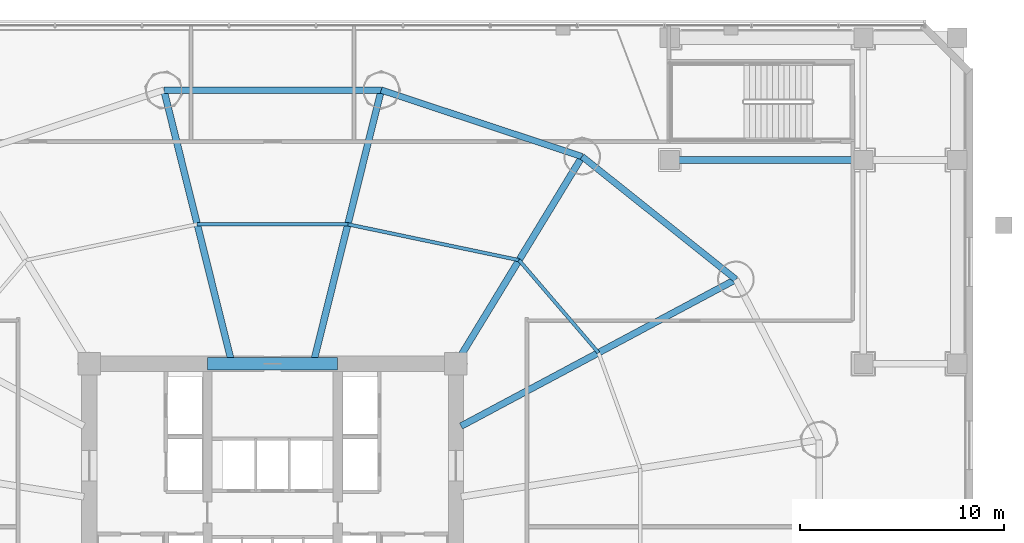
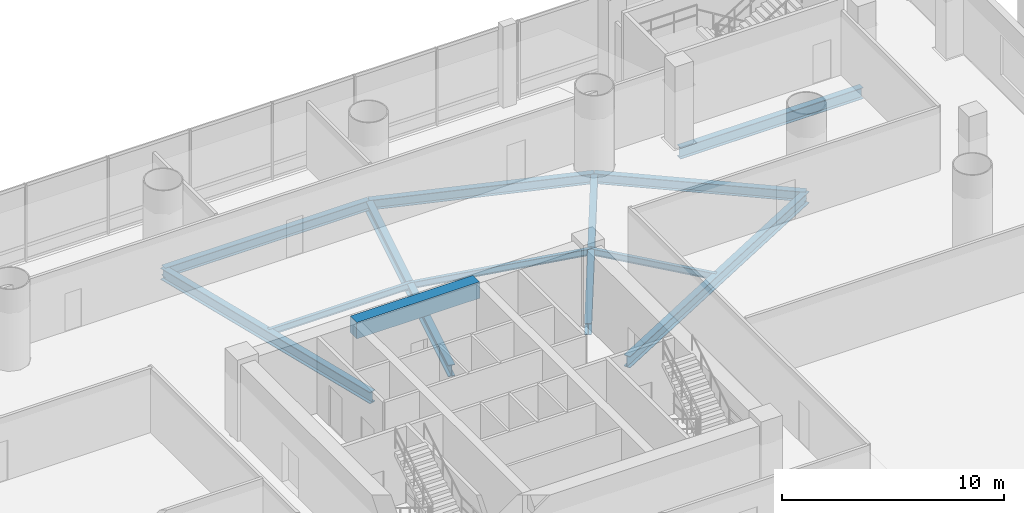
# One storey, part 13 of 36: 12 beams.
"""IFC4 building model written with IfcOpenShell, lengths in metres."""

from ifc_helpers import new_model, si_unit, direction, frame, origin, origin_2d, place, context, subcontext, project, spatial, rectangle, i_section, extrude, material, material_profile, profile_set, type_object, element, save


model = new_model("IFC4")

# Units and contexts
model_context = context("Model", 3, precision=1e-05, world=origin(), true_north=direction((-0.2419218956, 0.970295726276)))
body_context = subcontext(model_context, "Body", "Model", "MODEL_VIEW")
ifc_project = project(units=[si_unit("LENGTHUNIT", "METRE"), si_unit("AREAUNIT", "SQUARE_METRE"), si_unit("VOLUMEUNIT", "CUBIC_METRE"), si_unit("PLANEANGLEUNIT", "RADIAN"), si_unit("MASSUNIT", "GRAM", prefix="KILO")], contexts=[model_context])

# Site, building, storey
site_placement = place(None, origin())
site = spatial("IfcSite", under=ifc_project, at=site_placement, CompositionType="ELEMENT")
building_placement = place(site_placement, origin())
building = spatial("IfcBuilding", under=site, at=building_placement, Name="Cobrevalo Terracotta Tower", CompositionType="ELEMENT")
storey_placement = place(building_placement, frame((0.0, 0.0, 5.39990234375)))
storey = spatial("IfcBuildingStorey", under=building, at=storey_placement, Name="L01", CompositionType="ELEMENT", Elevation=5.39990234375)

# Beams
ifc_material_1 = material(Name="Concrete C60", Category="concrete")
ifc_material_profile_1 = material_profile(ifc_material_1, rectangle(XDim=0.60009765625, YDim=0.89990234375, at=origin_2d()), Name="RC CB 600x900")
ifc_profile_set_1 = profile_set([ifc_material_profile_1], Name="Concrete C60")
beam_type_1 = type_object("IfcBeamType", Name="Structural Beam RC CB 600x900 (Concrete C60)", PredefinedType="BEAM", material=ifc_profile_set_1)
beam_1_placement = place(storey_placement, frame((34.800048828125, 34.800048828125, 3.75), z_axis=(1.0, 0.0, 0.0), x_axis=(0.0, 1.0, 0.0)))
element("IfcBeam", 1, at=beam_1_placement, inside=storey, type_object=beam_type_1, Name="L01 core coupling beam 2", PredefinedType="BEAM", context=body_context, shape_type="SweptSolid", body=[
    extrude(rectangle(XDim=0.60009765625, YDim=0.89990234375, at=origin_2d()), origin(), (0.0, 0.0, 1.0), 6.39990234375),
])
ifc_material_2 = material(Name="Steel S355", Category="steel")
ifc_material_profile_2 = material_profile(ifc_material_2, i_section(OverallWidth=0.324951171875, OverallDepth=0.615966796875, WebThickness=0.013916015625, FlangeThickness=0.021484375, at=origin_2d()), Name="W 610x174")
ifc_profile_set_2 = profile_set([ifc_material_profile_2], Name="Steel S355")
beam_type_2 = type_object("IfcBeamType", Name="Structural Beam W 610x174 (Steel S355)", PredefinedType="BEAM", material=ifc_profile_set_2)
beam_2_placement = place(storey_placement, frame((57.5, 44.800048828125, -0.60791015625), z_axis=(1.0, 0.0, 0.0), x_axis=(0.0, 1.0, 0.0)))
element("IfcBeam", 2, at=beam_2_placement, inside=storey, type_object=beam_type_2, Name="L01 podium grid beam G7-GF to G8-GF", PredefinedType="BEAM", context=body_context, shape_type="SweptSolid", body=[
    extrude(i_section(OverallWidth=0.324951171875, OverallDepth=0.615966796875, WebThickness=0.013916015625, FlangeThickness=0.021484375, at=origin_2d()), origin(), (0.0, 0.0, 1.0), 9.5),
])
ifc_material_profile_3 = material_profile(ifc_material_2, i_section(OverallWidth=0.3291015625, OverallDepth=0.635009765625, WebThickness=0.017822265625, FlangeThickness=0.031005859375, at=origin_2d()), Name="W 610x241")
ifc_profile_set_3 = profile_set([ifc_material_profile_3], Name="Steel S355")
beam_type_3 = type_object("IfcBeamType", Name="Structural Beam W 610x241 (Steel S355)", PredefinedType="BEAM", material=ifc_profile_set_3)
beam_3_placement = place(storey_placement, frame((60.74072265625, 38.939208984375, -0.617431640625), z_axis=(-0.88218223571, -0.470908168329, 0.0), x_axis=(0.470908168329, -0.88218223571, 0.0)))
element("IfcBeam", 3, at=beam_3_placement, inside=storey, type_object=beam_type_3, Name="L01 radial floor girder 02", PredefinedType="BEAM", context=body_context, shape_type="SweptSolid", body=[
    extrude(i_section(OverallWidth=0.3291015625, OverallDepth=0.635009765625, WebThickness=0.017822265625, FlangeThickness=0.031005859375, at=origin_2d()), origin(), (0.0, 0.0, 1.0), 15.286865234375),
])
beam_4_placement = place(storey_placement, frame((53.19482421875, 44.967529296875, -0.617431640625), z_axis=(-0.520309892051, -0.853977526773, 0.0), x_axis=(0.853977526773, -0.520309892051, 0.0)))
element("IfcBeam", 4, at=beam_4_placement, inside=storey, type_object=beam_type_3, Name="L01 radial floor girder 03", PredefinedType="BEAM", context=body_context, shape_type="SweptSolid", body=[
    extrude(i_section(OverallWidth=0.3291015625, OverallDepth=0.635009765625, WebThickness=0.017822265625, FlangeThickness=0.031005859375, at=origin_2d()), origin(), (0.0, 0.0, 1.0), 11.906005859375),
])
for number, where, z_axis, x_axis, name in (
    (5, (43.335693359375, 48.230224609375, -0.617431640625), (-0.241596254786, -0.970376859614, 0.0), (0.970376859614, -0.241596254786, 0.0), "L01 radial floor girder 04"),
    (6, (32.664306640625, 48.230224609375, -0.617431640625), (0.241596254786, -0.970376859614, 0.0), (0.970376859614, 0.241596254786, 0.0), "L01 radial floor girder 05"),
):
    element("IfcBeam", number, at=place(storey_placement, frame(where, z_axis=z_axis, x_axis=x_axis)), inside=storey, type_object=beam_type_3, Name=name, PredefinedType="BEAM", context=body_context, shape_type="SweptSolid", body=[
        extrude(i_section(OverallWidth=0.3291015625, OverallDepth=0.635009765625, WebThickness=0.017822265625, FlangeThickness=0.031005859375, at=origin_2d()), origin(), (0.0, 0.0, 1.0), 13.577392578125),
    ])
ifc_material_profile_4 = material_profile(ifc_material_2, i_section(OverallWidth=0.1708984375, OverallDepth=0.35498046875, WebThickness=0.007080078125, FlangeThickness=0.01171875, at=origin_2d()), Name="W 360x51")
ifc_profile_set_4 = profile_set([ifc_material_profile_4], Name="Steel S355")
beam_type_4 = type_object("IfcBeamType", Name="Structural Joist W 360x51 (Steel S355)", PredefinedType="JOIST", material=ifc_profile_set_4)
beam_5_placement = place(storey_placement, frame((53.997802734375, 35.33984375, -0.477294921875), z_axis=(-0.651328404454, 0.758795960421, 0.0), x_axis=(-0.758795960421, -0.651328404454, 0.0)))
element("IfcBeam", 7, at=beam_5_placement, inside=storey, type_object=beam_type_4, Name="L01 circumferential secondary floor joist 02", PredefinedType="JOIST", context=body_context, shape_type="SweptSolid", body=[
    extrude(i_section(OverallWidth=0.1708984375, OverallDepth=0.35498046875, WebThickness=0.007080078125, FlangeThickness=0.01171875, at=origin_2d()), origin(), (0.0, 0.0, 1.0), 5.98828125),
])
beam_6_placement = place(storey_placement, frame((50.097412109375, 39.8837890625, -0.477294921875), z_axis=(-0.978784523904, 0.204892302848, 0.0), x_axis=(-0.204892302848, -0.978784523904, 0.0)))
element("IfcBeam", 8, at=beam_6_placement, inside=storey, type_object=beam_type_4, Name="L01 circumferential secondary floor joist 03", PredefinedType="JOIST", context=body_context, shape_type="SweptSolid", body=[
    extrude(i_section(OverallWidth=0.1708984375, OverallDepth=0.35498046875, WebThickness=0.007080078125, FlangeThickness=0.01171875, at=origin_2d()), origin(), (0.0, 0.0, 1.0), 8.583984375),
])
beam_7_placement = place(storey_placement, frame((41.695556640625, 41.642578125, -0.477294921875), z_axis=(-1.0, 0.0, 0.0), x_axis=(0.0, -1.0, 0.0)))
element("IfcBeam", 9, at=beam_7_placement, inside=storey, type_object=beam_type_4, Name="L01 circumferential secondary floor joist 04", PredefinedType="JOIST", context=body_context, shape_type="SweptSolid", body=[
    extrude(i_section(OverallWidth=0.1708984375, OverallDepth=0.35498046875, WebThickness=0.007080078125, FlangeThickness=0.01171875, at=origin_2d()), origin(), (0.0, 0.0, 1.0), 7.39111328125),
])
ifc_material_profile_5 = material_profile(ifc_material_2, i_section(OverallWidth=0.31201171875, OverallDepth=0.54296875, WebThickness=0.0126953125, FlangeThickness=0.020263671875, at=origin_2d()), Name="W 530x150")
ifc_profile_set_5 = profile_set([ifc_material_profile_5], Name="Steel S355")
beam_type_5 = type_object("IfcBeamType", Name="Structural Spandrel W 530x150 (Steel S355)", PredefinedType="SPANDREL", material=ifc_profile_set_5)
beam_8_placement = place(storey_placement, frame((60.74072265625, 38.939208984375, -0.5712890625), z_axis=(-0.781292806807, 0.62416468182, 0.0), x_axis=(-0.62416468182, -0.781292806807, 0.0)))
element("IfcBeam", 10, at=beam_8_placement, inside=storey, type_object=beam_type_5, Name="L01 perimeter ring spandrel 02", PredefinedType="SPANDREL", context=body_context, shape_type="SweptSolid", body=[
    extrude(i_section(OverallWidth=0.31201171875, OverallDepth=0.54296875, WebThickness=0.0126953125, FlangeThickness=0.020263671875, at=origin_2d()), origin(), (0.0, 0.0, 1.0), 9.658203125),
])
beam_9_placement = place(storey_placement, frame((53.19482421875, 44.967529296875, -0.5712890625), z_axis=(-0.949365190876, 0.314174687638, 0.0), x_axis=(-0.314174687638, -0.949365190876, 0.0)))
element("IfcBeam", 11, at=beam_9_placement, inside=storey, type_object=beam_type_5, Name="L01 perimeter ring spandrel 03", PredefinedType="SPANDREL", context=body_context, shape_type="SweptSolid", body=[
    extrude(i_section(OverallWidth=0.31201171875, OverallDepth=0.54296875, WebThickness=0.0126953125, FlangeThickness=0.020263671875, at=origin_2d()), origin(), (0.0, 0.0, 1.0), 10.385009765625),
])
beam_10_placement = place(storey_placement, frame((43.335693359375, 48.230224609375, -0.5712890625), z_axis=(-1.0, 0.0, 0.0), x_axis=(0.0, -1.0, 0.0)))
element("IfcBeam", 12, at=beam_10_placement, inside=storey, type_object=beam_type_5, Name="L01 perimeter ring spandrel 04", PredefinedType="SPANDREL", context=body_context, shape_type="SweptSolid", body=[
    extrude(i_section(OverallWidth=0.31201171875, OverallDepth=0.54296875, WebThickness=0.0126953125, FlangeThickness=0.020263671875, at=origin_2d()), origin(), (0.0, 0.0, 1.0), 10.67138671875),
])

save(model, "model.ifc")
